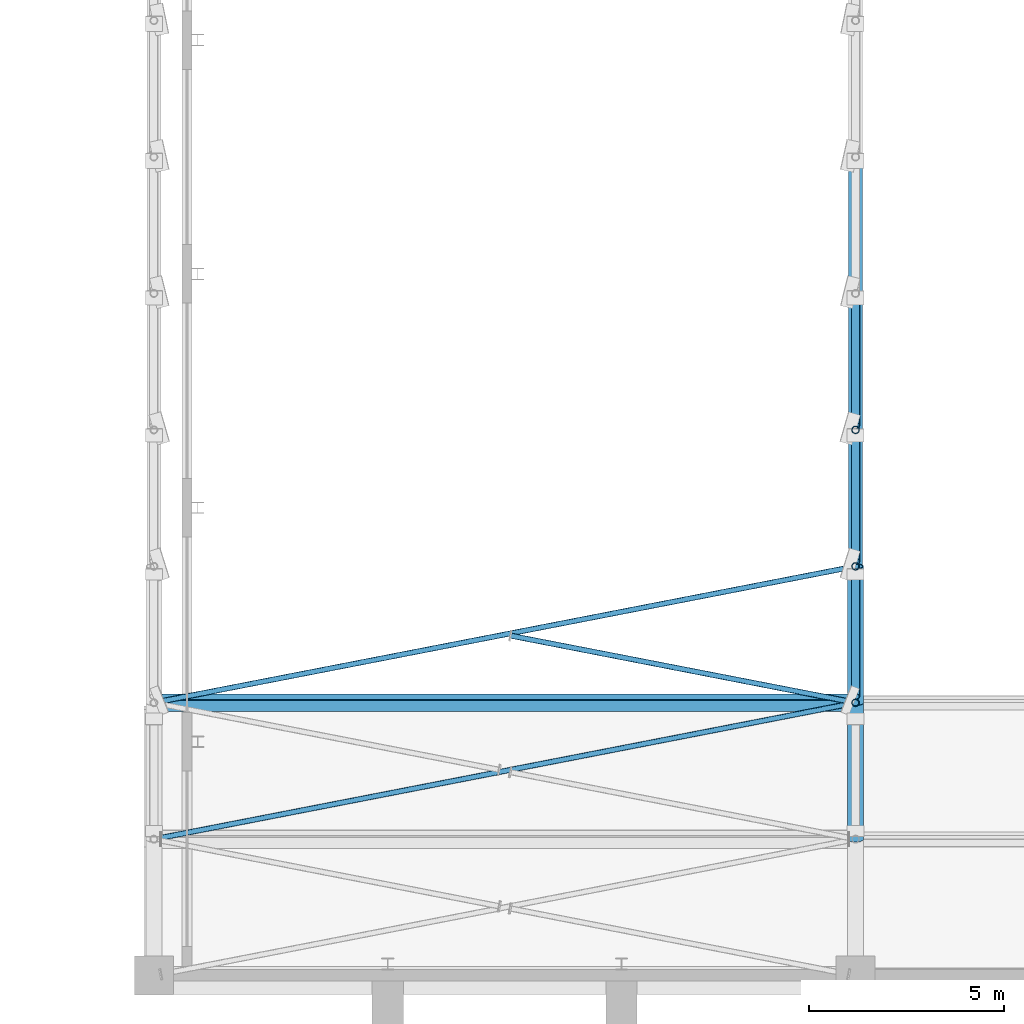
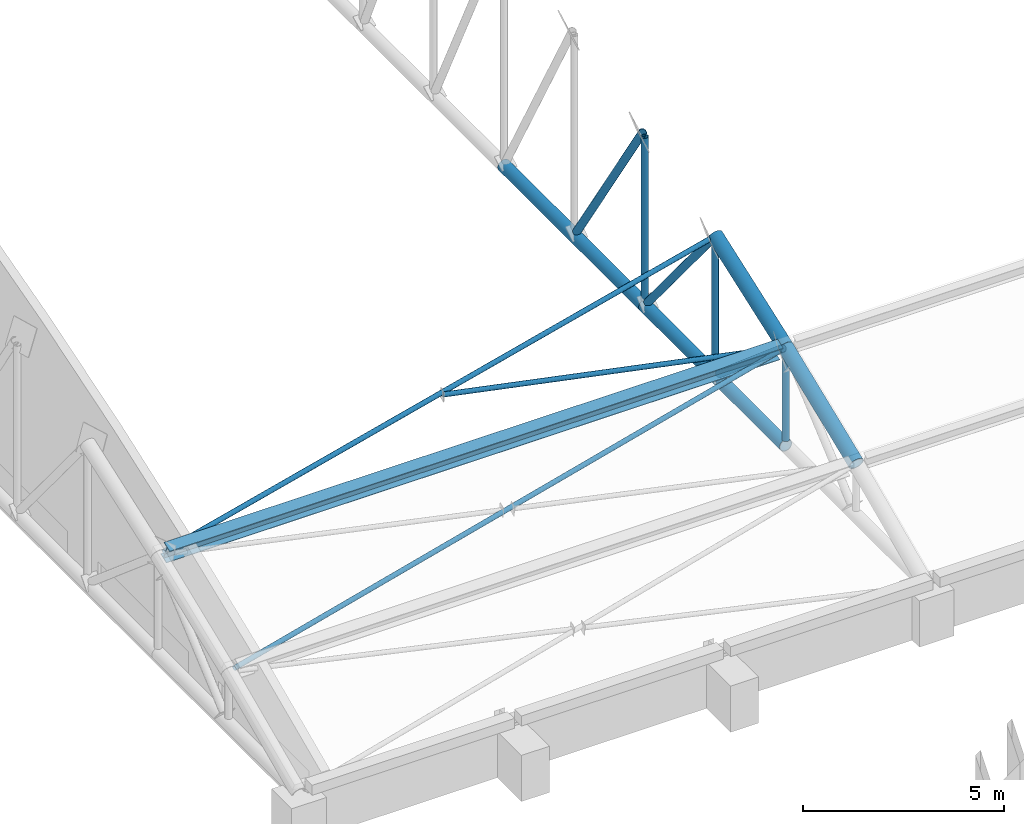
# One storey, part 30 of 196: 14 members.
"""IFC4 building model written with IfcOpenShell, lengths in metres."""

from ifc_helpers import new_model, si_unit, direction, frame, origin, origin_2d, place, context, subcontext, project, spatial, hollow_circle, i_section, extrude, material, material_profile, profile_set, type_object, element, save


model = new_model("IFC4")

# Units and contexts
model_context = context("Model", 3, precision=1e-05, world=origin(), true_north=direction((0.0, 1.0)))
body_context = subcontext(model_context, "Body", "Model", "MODEL_VIEW")
ifc_project = project(units=[si_unit("LENGTHUNIT", "METRE"), si_unit("AREAUNIT", "SQUARE_METRE"), si_unit("VOLUMEUNIT", "CUBIC_METRE"), si_unit("PLANEANGLEUNIT", "RADIAN"), si_unit("MASSUNIT", "GRAM", prefix="KILO")], contexts=[model_context])

# Site, building, storey
site_placement = place(None, origin())
site = spatial("IfcSite", under=ifc_project, at=site_placement, CompositionType="ELEMENT")
building_placement = place(site_placement, origin())
building = spatial("IfcBuilding", under=site, at=building_placement, Name="Okhra Congress Centre", CompositionType="ELEMENT")
storey_placement = place(building_placement, frame((0.0, 0.0, 12.0)))
storey = spatial("IfcBuildingStorey", under=building, at=storey_placement, Name="L02", CompositionType="ELEMENT", Elevation=12.0)

# Members
ifc_material_1 = material(Name="Steel S355J2H", Category="steel")
ifc_material_profile_1 = material_profile(ifc_material_1, hollow_circle(Radius=0.06982421875, WallThickness=0.00634765625, at=origin_2d()), Name="CHS 139.7x6.3")
ifc_profile_set_1 = profile_set([ifc_material_profile_1], Name="Steel S355J2H")
member_type_1 = type_object("IfcMemberType", Name="CHS 139.7x6.3", PredefinedType="BRACE", material=ifc_profile_set_1)
member_1_placement = place(storey_placement, frame((28.185546875, 135.5361328125, 2.981201171875), z_axis=(0.978737844173, 0.190304112179, 0.07652827759), x_axis=(-0.190863837306, 0.981616521667, 0.0)))
element("IfcMember", 1, at=member_1_placement, inside=storey, type_object=member_type_1, Name="EH.MEM.L02.XB1-02-1", PredefinedType="BRACE", context=body_context, shape_type="SweptSolid", body=[
    extrude(hollow_circle(Radius=0.06982421875, WallThickness=0.00634765625, at=origin_2d()), origin(), (0.0, 0.0, 1.0), 18.011962890625),
])
member_2_placement = place(storey_placement, frame((28.185546875, 139.0361328125, 4.386962890625), z_axis=(0.979325120361, 0.190418301156, 0.068287474809), x_axis=(-0.190863837306, 0.981616521667, 0.0)))
element("IfcMember", 2, at=member_2_placement, inside=storey, type_object=member_type_1, Name="EH.MEM.L02.XB1-03-1", PredefinedType="BRACE", context=body_context, shape_type="SweptSolid", body=[
    extrude(hollow_circle(Radius=0.06982421875, WallThickness=0.00634765625, at=origin_2d()), origin(), (0.0, 0.0, 1.0), 18.0009765625),
])
member_3_placement = place(storey_placement, frame((45.814453125, 139.0361328125, 4.386962890625), z_axis=(-0.979323118912, 0.190430842458, 0.068281205364), x_axis=(-0.190876325854, -0.981614093332, 0.0)))
element("IfcMember", 3, at=member_3_placement, inside=storey, type_object=member_type_1, Name="EH.MEM.L02.XB1-03-2a", PredefinedType="BRACE", context=body_context, shape_type="SweptSolid", body=[
    extrude(hollow_circle(Radius=0.06982421875, WallThickness=0.00634765625, at=origin_2d()), origin(), (0.0, 0.0, 1.0), 8.84228515625),
])
ifc_material_profile_2 = material_profile(ifc_material_1, hollow_circle(Radius=0.096923828125, WallThickness=0.012451171875, at=origin_2d()), Name="CHS 193.7x12.5")
ifc_profile_set_2 = profile_set([ifc_material_profile_2], Name="Steel S355J2H")
member_type_2 = type_object("IfcMemberType", Name="CHS 193.7x12.5", PredefinedType="POST", material=ifc_profile_set_2)
member_4_placement = place(storey_placement, frame((46.0, 139.0, 1.577880859375), z_axis=(0.0, 0.0, 1.0), x_axis=(1.0, 0.0, 0.0)))
element("IfcMember", 4, at=member_4_placement, inside=storey, type_object=member_type_2, Name="EH.MEM.L02.T2-VER-02", PredefinedType="POST", context=body_context, shape_type="SweptSolid", body=[
    extrude(hollow_circle(Radius=0.096923828125, WallThickness=0.012451171875, at=origin_2d()), origin(), (0.0, 0.0, 1.0), 2.578857421875),
])
member_5_placement = place(storey_placement, frame((46.0, 142.5, 1.577880859375), z_axis=(0.0, 0.0, 1.0), x_axis=(1.0, 0.0, 0.0)))
element("IfcMember", 5, at=member_5_placement, inside=storey, type_object=member_type_2, Name="EH.MEM.L02.T2-VER-03", PredefinedType="POST", context=body_context, shape_type="SweptSolid", body=[
    extrude(hollow_circle(Radius=0.096923828125, WallThickness=0.012451171875, at=origin_2d()), origin(), (0.0, 0.0, 1.0), 3.836669921875),
])
member_6_placement = place(storey_placement, frame((46.0, 146.0, 1.577880859375), z_axis=(0.0, 0.0, 1.0), x_axis=(1.0, 0.0, 0.0)))
element("IfcMember", 6, at=member_6_placement, inside=storey, type_object=member_type_2, Name="EH.MEM.L02.T2-VER-04", PredefinedType="POST", context=body_context, shape_type="SweptSolid", body=[
    extrude(hollow_circle(Radius=0.096923828125, WallThickness=0.012451171875, at=origin_2d()), origin(), (0.0, 0.0, 1.0), 4.947998046875),
])
ifc_material_profile_3 = material_profile(ifc_material_1, hollow_circle(Radius=0.109619140625, WallThickness=0.012451171875, at=origin_2d()), Name="CHS 219.1x12.5")
ifc_profile_set_3 = profile_set([ifc_material_profile_3], Name="Steel S355J2H")
member_type_3 = type_object("IfcMemberType", Name="CHS 219.1x12.5", PredefinedType="BRACE", material=ifc_profile_set_3)
member_7_placement = place(storey_placement, frame((46.0, 139.1611328125, 4.237060546875), z_axis=(0.0, 0.762061047132, -0.64750518179), x_axis=(-1.0, 0.0, 0.0)))
element("IfcMember", 7, at=member_7_placement, inside=storey, type_object=member_type_3, Name="EH.MEM.L02.T2-DIA-02", PredefinedType="BRACE", context=body_context, shape_type="SweptSolid", body=[
    extrude(hollow_circle(Radius=0.109619140625, WallThickness=0.012451171875, at=origin_2d()), origin(), (0.0, 0.0, 1.0), 4.106689453125),
])
member_8_placement = place(storey_placement, frame((46.0, 142.626220703125, 5.476318359375), z_axis=(0.0, 0.637599309049, -0.770368172435), x_axis=(-1.0, 0.0, 0.0)))
element("IfcMember", 8, at=member_8_placement, inside=storey, type_object=member_type_3, Name="EH.MEM.L02.T2-DIA-03", PredefinedType="BRACE", context=body_context, shape_type="SweptSolid", body=[
    extrude(hollow_circle(Radius=0.109619140625, WallThickness=0.012451171875, at=origin_2d()), origin(), (0.0, 0.0, 1.0), 5.060546875),
])
member_9_placement = place(storey_placement, frame((46.0, 146.10595703125, 6.576416015625), z_axis=(0.0, 0.548312008951, -0.836273843211), x_axis=(-1.0, 0.0, 0.0)))
element("IfcMember", 9, at=member_9_placement, inside=storey, type_object=member_type_3, Name="EH.MEM.L02.T2-DIA-04", PredefinedType="BRACE", context=body_context, shape_type="SweptSolid", body=[
    extrude(hollow_circle(Radius=0.109619140625, WallThickness=0.012451171875, at=origin_2d()), origin(), (0.0, 0.0, 1.0), 5.97705078125),
])
ifc_material_profile_4 = material_profile(ifc_material_1, hollow_circle(Radius=0.177734375, WallThickness=0.01611328125, at=origin_2d()), Name="CHS 355.6x16.0")
ifc_profile_set_4 = profile_set([ifc_material_profile_4], Name="Steel S355J2H")
member_type_4 = type_object("IfcMemberType", Name="CHS 355.6x16.0", PredefinedType="CHORD", material=ifc_profile_set_4)
for number, where, z_axis, x_axis, name in (
    (10, (46.0, 139.0, 1.39990234375), (0.0, 1.0, 0.0), (-1.0, 0.0, 0.0), "EH.MEM.L02.T2-BOT-02"),
    (11, (46.0, 146.0, 1.39990234375), (0.0, 1.0, 0.0), (-1.0, 0.0, 0.0), "EH.MEM.L02.T2-BOT-03"),
):
    element("IfcMember", number, at=place(storey_placement, frame(where, z_axis=z_axis, x_axis=x_axis)), inside=storey, type_object=member_type_4, Name=name, PredefinedType="CHORD", context=body_context, shape_type="SweptSolid", body=[
        extrude(hollow_circle(Radius=0.177734375, WallThickness=0.01611328125, at=origin_2d()), origin(), (0.0, 0.0, 1.0), 7.0),
    ])
ifc_material_profile_5 = material_profile(ifc_material_1, hollow_circle(Radius=0.203125, WallThickness=0.02490234375, at=origin_2d()), Name="CHS 406.4x25.0")
ifc_profile_set_5 = profile_set([ifc_material_profile_5], Name="Steel S355J2H")
member_type_5 = type_object("IfcMemberType", Name="CHS 406.4x25.0", PredefinedType="CHORD", material=ifc_profile_set_5)
member_10_placement = place(storey_placement, frame((46.0, 135.5, 2.966796875), z_axis=(0.0, 0.927814639871, 0.373041544658), x_axis=(-1.0, 0.0, 0.0)))
element("IfcMember", 12, at=member_10_placement, inside=storey, type_object=member_type_5, Name="EH.MEM.L02.T2-TOP-02", PredefinedType="CHORD", context=body_context, shape_type="SweptSolid", body=[
    extrude(hollow_circle(Radius=0.203125, WallThickness=0.02490234375, at=origin_2d()), origin(), (0.0, 0.0, 1.0), 3.772216796875),
])
member_11_placement = place(storey_placement, frame((46.0, 139.0, 4.3740234375), z_axis=(0.0, 0.941304373418, 0.337558997192), x_axis=(-1.0, 0.0, 0.0)))
element("IfcMember", 13, at=member_11_placement, inside=storey, type_object=member_type_5, Name="EH.MEM.L02.T2-TOP-03", PredefinedType="CHORD", context=body_context, shape_type="SweptSolid", body=[
    extrude(hollow_circle(Radius=0.203125, WallThickness=0.02490234375, at=origin_2d()), origin(), (0.0, 0.0, 1.0), 3.71826171875),
])
ifc_material_2 = material(Name="Steel S355J2", Category="steel")
ifc_material_profile_6 = material_profile(ifc_material_2, i_section(OverallWidth=0.300048828125, OverallDepth=0.5, WebThickness=0.014404296875, FlangeThickness=0.028076171875, at=origin_2d()), Name="HE 500 B")
ifc_profile_set_6 = profile_set([ifc_material_profile_6], Name="Steel S355J2")
member_type_6 = type_object("IfcMemberType", Name="HE 500 B", PredefinedType="PURLIN", material=ifc_profile_set_6)
member_12_placement = place(storey_placement, frame((28.203125, 139.0, 4.3740234375), z_axis=(1.0, 0.0, 0.0), x_axis=(0.0, 0.934732963292, 0.355350935465)))
element("IfcMember", 14, at=member_12_placement, inside=storey, type_object=member_type_6, Name="EH.MEM.L02.PU1-03", PredefinedType="PURLIN", context=body_context, shape_type="SweptSolid", body=[
    extrude(i_section(OverallWidth=0.300048828125, OverallDepth=0.5, WebThickness=0.014404296875, FlangeThickness=0.028076171875, at=origin_2d()), origin(), (0.0, 0.0, 1.0), 17.59375),
])

save(model, "model.ifc")
